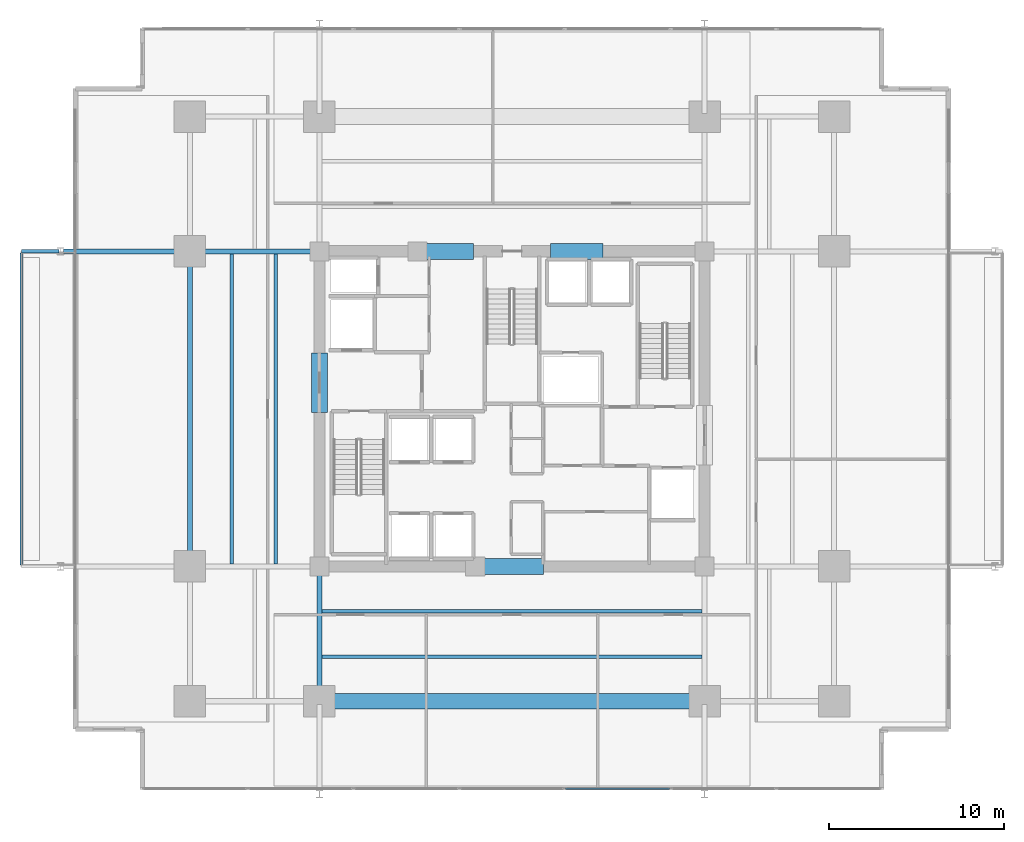
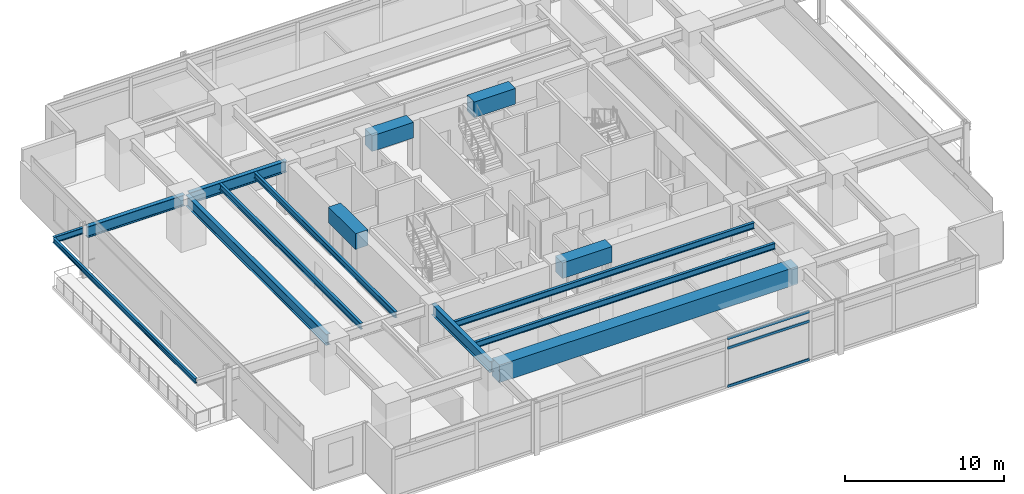
# One storey, part 5 of 21: 15 beams, 3 members, 1 element without a shape of its own.
"""IFC4 building model written with IfcOpenShell, lengths in metres."""

from ifc_helpers import new_model, si_unit, direction, frame, origin, origin_2d, place, context, subcontext, project, spatial, rectangle, hollow_rectangle, i_section, extrude, material, material_profile, profile_set, type_object, element, aggregate, save


model = new_model("IFC4")

# Units and contexts
model_context = context("Model", 3, precision=1e-05, world=origin(), true_north=direction((0.0, 1.0)))
body_context = subcontext(model_context, "Body", "Model", "MODEL_VIEW")
ifc_project = project(units=[si_unit("LENGTHUNIT", "METRE"), si_unit("AREAUNIT", "SQUARE_METRE"), si_unit("VOLUMEUNIT", "CUBIC_METRE"), si_unit("PLANEANGLEUNIT", "RADIAN"), si_unit("MASSUNIT", "GRAM", prefix="KILO")], contexts=[model_context])

# Site, building, storey
site_placement = place(None, origin())
site = spatial("IfcSite", under=ifc_project, at=site_placement, CompositionType="ELEMENT")
building_placement = place(site_placement, origin())
building = spatial("IfcBuilding", under=site, at=building_placement, Name="Kovane Verandah Tower", CompositionType="ELEMENT")
storey_placement = place(building_placement, frame((0.0, 0.0, 31.60009765625)))
storey = spatial("IfcBuildingStorey", under=building, at=storey_placement, Name="L06", CompositionType="ELEMENT", Elevation=31.60009765625)

# Beams
ifc_material_1 = material(Name="Concrete C80/95", Category="concrete")
ifc_material_profile_1 = material_profile(ifc_material_1, rectangle(XDim=0.89990234375, YDim=1.199951171875, at=origin_2d()), Name="RCB900x1200")
ifc_profile_set_1 = profile_set([ifc_material_profile_1], Name="Concrete C80/95")
beam_type_1 = type_object("IfcBeamType", Name="BM-LINTEL-900x1200", PredefinedType="LINTEL", material=ifc_profile_set_1)
beam_1_placement = place(storey_placement, frame((38.199951171875, 18.5, 3.159912109375), z_axis=(1.0, 0.0, 0.0), x_axis=(0.0, 1.0, 0.0)))
element("IfcBeam", 1, at=beam_1_placement, inside=storey, type_object=beam_type_1, Name="L06 Core Coupling Lintel CL-S", PredefinedType="LINTEL", context=body_context, shape_type="SweptSolid", body=[
    extrude(rectangle(XDim=0.89990234375, YDim=1.199951171875, at=origin_2d()), origin(), (0.0, 0.0, 1.0), 3.60009765625),
])
for number, where, z_axis, x_axis, name in (
    (2, (34.800048828125, 36.5, 3.159912109375), (1.0, 0.0, 0.0), (0.0, 1.0, 0.0), "L06 Core Coupling Lintel CL-N1"),
    (3, (42.199951171875, 36.5, 3.159912109375), (1.0, 0.0, 0.0), (0.0, 1.0, 0.0), "L06 Core Coupling Lintel CL-N2"),
):
    element("IfcBeam", number, at=place(storey_placement, frame(where, z_axis=z_axis, x_axis=x_axis)), inside=storey, type_object=beam_type_1, Name=name, PredefinedType="LINTEL", context=body_context, shape_type="SweptSolid", body=[
        extrude(rectangle(XDim=0.89990234375, YDim=1.199951171875, at=origin_2d()), origin(), (0.0, 0.0, 1.0), 3.0),
    ])
beam_2_placement = place(storey_placement, frame((29.0, 27.300048828125, 3.159912109375), z_axis=(0.0, 1.0, 0.0), x_axis=(-1.0, 0.0, 0.0)))
element("IfcBeam", 4, at=beam_2_placement, inside=storey, type_object=beam_type_1, Name="L06 Core Coupling Lintel CL-W", PredefinedType="LINTEL", context=body_context, shape_type="SweptSolid", body=[
    extrude(rectangle(XDim=0.89990234375, YDim=1.199951171875, at=origin_2d()), origin(), (0.0, 0.0, 1.0), 3.39990234375),
])
ifc_material_profile_2 = material_profile(ifc_material_1, rectangle(XDim=0.89990234375, YDim=1.35009765625, at=origin_2d()), Name="RCB900x1350")
ifc_profile_set_2 = profile_set([ifc_material_profile_2], Name="Concrete C80/95")
beam_type_2 = type_object("IfcBeamType", Name="BM-TR-900x1350", PredefinedType="BEAM", material=ifc_profile_set_2)
beam_3_placement = place(storey_placement, frame((29.179931640625, 10.800048828125, 3.0849609375), z_axis=(1.0, 0.0, 0.0), x_axis=(0.0, 1.0, 0.0)))
element("IfcBeam", 5, at=beam_3_placement, inside=storey, type_object=beam_type_2, Name="L06 Primary Tower Girder G-RS2", PredefinedType="BEAM", context=body_context, shape_type="SweptSolid", body=[
    extrude(rectangle(XDim=0.89990234375, YDim=1.35009765625, at=origin_2d()), origin(), (0.0, 0.0, 1.0), 21.64013671875),
])
ifc_material_2 = material(Name="Steel S355", Category="steel")
ifc_material_profile_3 = material_profile(ifc_material_2, i_section(OverallWidth=0.293701171875, OverallDepth=0.850830078125, WebThickness=0.01611328125, FlangeThickness=0.02685546875, FilletRadius=0.017822265625, at=origin_2d()), Name="UB838x292x226")
ifc_profile_set_3 = profile_set([ifc_material_profile_3], Name="Steel S355")
beam_type_3 = type_object("IfcBeamType", Name="BM-UB838x226", PredefinedType="BEAM", material=ifc_profile_set_3)
beam_4_placement = place(storey_placement, frame((21.60009765625, 18.679931640625, 3.33447265625), z_axis=(0.0, 1.0, 0.0), x_axis=(-1.0, 0.0, 0.0)))
element("IfcBeam", 6, at=beam_4_placement, inside=storey, type_object=beam_type_3, Name="L06 Primary Tower Girder G-RW2", PredefinedType="BEAM", context=body_context, shape_type="SweptSolid", body=[
    extrude(i_section(OverallWidth=0.293701171875, OverallDepth=0.850830078125, WebThickness=0.01611328125, FlangeThickness=0.02685546875, FilletRadius=0.017822265625, at=origin_2d()), origin(), (0.0, 0.0, 1.0), 17.64013671875),
])
beam_5_placement = place(storey_placement, frame((28.820068359375, 36.5, 3.33447265625), z_axis=(-1.0, 0.0, 0.0), x_axis=(0.0, -1.0, 0.0)))
element("IfcBeam", 7, at=beam_5_placement, inside=storey, type_object=beam_type_3, Name="L06 Primary Tower Girder G-W2", PredefinedType="BEAM", context=body_context, shape_type="SweptSolid", body=[
    extrude(i_section(OverallWidth=0.293701171875, OverallDepth=0.850830078125, WebThickness=0.01611328125, FlangeThickness=0.02685546875, FilletRadius=0.017822265625, at=origin_2d()), origin(), (0.0, 0.0, 1.0), 7.0400390625),
])
beam_6_placement = place(storey_placement, frame((29.0, 18.320068359375, 3.33447265625), z_axis=(0.0, -1.0, 0.0), x_axis=(1.0, 0.0, 0.0)))
element("IfcBeam", 8, at=beam_6_placement, inside=storey, type_object=beam_type_3, Name="L06 Primary Tower Girder G-S1", PredefinedType="BEAM", context=body_context, shape_type="SweptSolid", body=[
    extrude(i_section(OverallWidth=0.293701171875, OverallDepth=0.850830078125, WebThickness=0.01611328125, FlangeThickness=0.02685546875, FilletRadius=0.017822265625, at=origin_2d()), origin(), (0.0, 0.0, 1.0), 7.340087890625),
])
beam_7_placement = place(storey_placement, frame((21.419921875, 36.5, 3.33447265625), z_axis=(-1.0, 0.0, 0.0), x_axis=(0.0, -1.0, 0.0)))
element("IfcBeam", 9, at=beam_7_placement, inside=storey, type_object=beam_type_3, Name="L06 Primary Tower Girder G-VW2", PredefinedType="BEAM", context=body_context, shape_type="SweptSolid", body=[
    extrude(i_section(OverallWidth=0.293701171875, OverallDepth=0.850830078125, WebThickness=0.01611328125, FlangeThickness=0.02685546875, FilletRadius=0.017822265625, at=origin_2d()), origin(), (0.0, 0.0, 1.0), 7.0400390625),
])

# Curtain wall, members
ifc_material_3 = material(Name="Champagne Anodised Aluminium Frame with Low-E Clear Laminated Glass", Category="aluminium")
curtain_wall_type = type_object("IfcCurtainWallType", Name="CW-SYS-02-LOW", PredefinedType="NOTDEFINED", material=ifc_material_3)
curtain_wall_placement = place(storey_placement, origin())
curtain_wall = element("IfcCurtainWall", 10, at=curtain_wall_placement, inside=storey, type_object=curtain_wall_type, Name="L06 S Unitised Curtain Wall", PredefinedType="NOTDEFINED")
ifc_material_4 = material(Name="Champagne Anodised Aluminium 6063-T6", Category="aluminium")
ifc_material_profile_4 = material_profile(ifc_material_4, hollow_rectangle(XDim=0.0849609375, YDim=0.18994140625, WallThickness=0.00390625, at=origin_2d()), Name="AL85x190x4")
ifc_profile_set_4 = profile_set([ifc_material_profile_4], Name="Champagne Anodised Aluminium 6063-T6")
member_type = type_object("IfcMemberType", Name="CW-TRN-85x190", PredefinedType="USERDEFINED", material=ifc_profile_set_4)
member_1_placement = place(storey_placement, frame((43.0693359375, 5.804931640625, 0.0498046875), z_axis=(1.0, 0.0, 0.0), x_axis=(0.0, 1.0, 0.0)))
member_1 = element("IfcMember", 11, at=member_1_placement, type_object=member_type, Name="L06 S Unitised Curtain Wall Transom TB Bay 5", ObjectType="TRANSOM", PredefinedType="USERDEFINED", context=body_context, shape_type="SweptSolid", body=[
    extrude(hollow_rectangle(XDim=0.0849609375, YDim=0.18994140625, WallThickness=0.00390625, at=origin_2d()), origin(), (0.0, 0.0, 1.0), 5.93896484375),
])
member_2_placement = place(storey_placement, frame((43.0693359375, 5.804931640625, 2.97998046875), z_axis=(1.0, 0.0, 0.0), x_axis=(0.0, 1.0, 0.0)))
member_2 = element("IfcMember", 12, at=member_2_placement, type_object=member_type, Name="L06 S Unitised Curtain Wall Transom TM Bay 5", ObjectType="TRANSOM", PredefinedType="USERDEFINED", context=body_context, shape_type="SweptSolid", body=[
    extrude(hollow_rectangle(XDim=0.0849609375, YDim=0.18994140625, WallThickness=0.00390625, at=origin_2d()), origin(), (0.0, 0.0, 1.0), 5.93896484375),
])
member_3_placement = place(storey_placement, frame((43.0693359375, 5.804931640625, 3.7099609375), z_axis=(1.0, 0.0, 0.0), x_axis=(0.0, 1.0, 0.0)))
member_3 = element("IfcMember", 13, at=member_3_placement, type_object=member_type, Name="L06 S Unitised Curtain Wall Transom TT Bay 5", ObjectType="TRANSOM", PredefinedType="USERDEFINED", context=body_context, shape_type="SweptSolid", body=[
    extrude(hollow_rectangle(XDim=0.0849609375, YDim=0.18994140625, WallThickness=0.00390625, at=origin_2d()), origin(), (0.0, 0.0, 1.0), 5.93896484375),
])
aggregate(curtain_wall, [member_1, member_2, member_3])

# Beams
ifc_material_profile_5 = material_profile(ifc_material_2, i_section(OverallWidth=0.19287109375, OverallDepth=0.46728515625, WebThickness=0.011474609375, FlangeThickness=0.01953125, FilletRadius=0.01025390625, at=origin_2d()), Name="UB457x191x98")
ifc_profile_set_5 = profile_set([ifc_material_profile_5], Name="Steel S355")
beam_type_4 = type_object("IfcBeamType", Name="JST-UB457x98", PredefinedType="JOIST", material=ifc_profile_set_5)
for number, where, z_axis, x_axis, name in (
    (14, (29.14501953125, 13.35009765625, 3.5263671875), (1.0, 0.0, 0.0), (0.0, 1.0, 0.0), "L06 Secondary Composite Joist J-S1"),
    (15, (29.14501953125, 15.949951171875, 3.5263671875), (1.0, 0.0, 0.0), (0.0, 1.0, 0.0), "L06 Secondary Composite Joist J-S2"),
):
    element("IfcBeam", number, at=place(storey_placement, frame(where, z_axis=z_axis, x_axis=x_axis)), inside=storey, type_object=beam_type_4, Name=name, PredefinedType="JOIST", context=body_context, shape_type="SweptSolid", body=[
        extrude(i_section(OverallWidth=0.19287109375, OverallDepth=0.46728515625, WebThickness=0.011474609375, FlangeThickness=0.01953125, FilletRadius=0.01025390625, at=origin_2d()), origin(), (0.0, 0.0, 1.0), 21.7099609375),
    ])
for number, where, z_axis, x_axis, name in (
    (16, (24.0, 18.64501953125, 3.5263671875), (0.0, 1.0, 0.0), (-1.0, 0.0, 0.0), "L06 Secondary Composite Joist J-W1"),
    (17, (26.5, 18.64501953125, 3.5263671875), (0.0, 1.0, 0.0), (-1.0, 0.0, 0.0), "L06 Secondary Composite Joist J-W2"),
):
    element("IfcBeam", number, at=place(storey_placement, frame(where, z_axis=z_axis, x_axis=x_axis)), inside=storey, type_object=beam_type_4, Name=name, PredefinedType="JOIST", context=body_context, shape_type="SweptSolid", body=[
        extrude(i_section(OverallWidth=0.19287109375, OverallDepth=0.46728515625, WebThickness=0.011474609375, FlangeThickness=0.01953125, FilletRadius=0.01025390625, at=origin_2d()), origin(), (0.0, 0.0, 1.0), 17.7099609375),
    ])
beam_8_placement = place(storey_placement, frame((14.1201171875, 36.5, 3.5263671875), z_axis=(-1.0, 0.0, 0.0), x_axis=(0.0, -1.0, 0.0)))
element("IfcBeam", 18, at=beam_8_placement, inside=storey, type_object=beam_type_4, Name="L06 West Planter Girder 2", PredefinedType="JOIST", context=body_context, shape_type="SweptSolid", body=[
    extrude(i_section(OverallWidth=0.19287109375, OverallDepth=0.46728515625, WebThickness=0.011474609375, FlangeThickness=0.01953125, FilletRadius=0.01025390625, at=origin_2d()), origin(), (0.0, 0.0, 1.0), 2.140625),
])
ifc_material_profile_6 = material_profile(ifc_material_2, i_section(OverallWidth=0.173095703125, OverallDepth=0.36328125, WebThickness=0.009033203125, FlangeThickness=0.015625, FilletRadius=0.01025390625, at=origin_2d()), Name="UB356x171x67")
ifc_profile_set_6 = profile_set([ifc_material_profile_6], Name="Steel S355")
beam_type_5 = type_object("IfcBeamType", Name="SPD-UB356x67", PredefinedType="USERDEFINED", material=ifc_profile_set_6)
beam_9_placement = place(storey_placement, frame((11.9794921875, 18.594482421875, 3.578125), z_axis=(0.0, 1.0, 0.0), x_axis=(-1.0, 0.0, 0.0)))
element("IfcBeam", 19, at=beam_9_placement, inside=storey, type_object=beam_type_5, Name="L06 West Planter Edge Spandrel", ObjectType="SPANDREL", PredefinedType="USERDEFINED", context=body_context, shape_type="SweptSolid", body=[
    extrude(i_section(OverallWidth=0.173095703125, OverallDepth=0.36328125, WebThickness=0.009033203125, FlangeThickness=0.015625, FilletRadius=0.01025390625, at=origin_2d()), origin(), (0.0, 0.0, 1.0), 17.81103515625),
])

save(model, "model.ifc")
